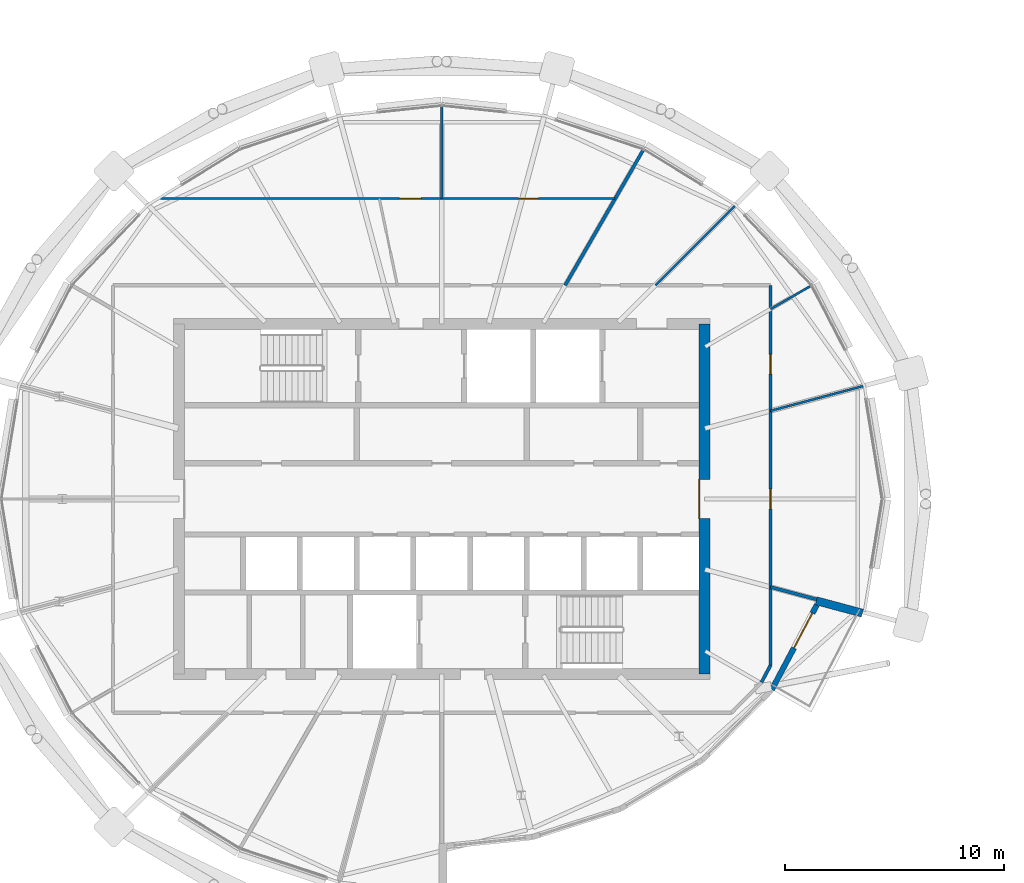
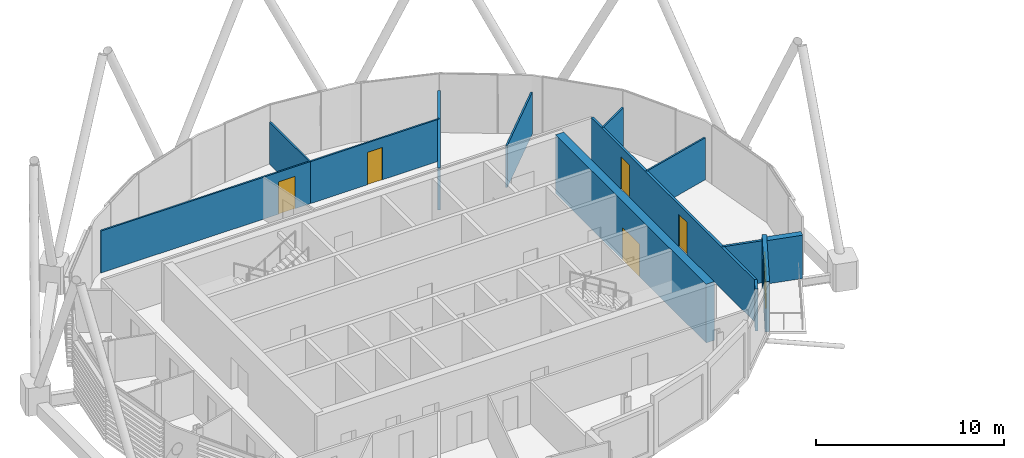
# One storey, part 20 of 31: 13 walls, 6 doors, 6 openings.
"""IFC4 building model written with IfcOpenShell, lengths in metres."""

from ifc_helpers import new_model, si_unit, direction, frame, frame_2d, origin, place, context, subcontext, project, spatial, rectangle, extrude, material, layer, layer_set, type_object, element, fill, save


model = new_model("IFC4")

# Units and contexts
model_context = context("Model", 3, precision=1e-05, world=origin(), true_north=direction((0.0, 1.0)))
body_context = subcontext(model_context, "Body", "Model", "MODEL_VIEW")
ifc_project = project(units=[si_unit("LENGTHUNIT", "METRE"), si_unit("AREAUNIT", "SQUARE_METRE"), si_unit("VOLUMEUNIT", "CUBIC_METRE"), si_unit("PLANEANGLEUNIT", "RADIAN"), si_unit("MASSUNIT", "GRAM", prefix="KILO")], contexts=[model_context])

# Site, building, storey
site_placement = place(None, origin())
site = spatial("IfcSite", under=ifc_project, at=site_placement, CompositionType="ELEMENT")
building_placement = place(site_placement, origin())
building = spatial("IfcBuilding", under=site, at=building_placement, Name="Rimbun Link Towers", CompositionType="ELEMENT")
storey_placement = place(building_placement, frame((0.0, 0.0, 244.699951171875)))
storey = spatial("IfcBuildingStorey", under=building, at=storey_placement, Name="L60", CompositionType="ELEMENT", Elevation=244.699951171875)

# Wall, opening, door
ifc_material_1 = material(Name="Dark enamelled glass spandrel on insulated aluminium backpan", Category="aluminium")
ifc_layer_1 = layer(ifc_material_1, 0.25)
ifc_layer_set_1 = layer_set([ifc_layer_1], Name="CS dark enamelled spandrel wall 250")
wall_type_1 = type_object("IfcWallType", Name="CS dark enamelled spandrel wall 250", PredefinedType="STANDARD", material=ifc_layer_set_1)
wall_1_placement = place(storey_placement, frame((-14.6123046875, -4.850830078125, 0.0), z_axis=(0.0, 0.0, 1.0), x_axis=(-0.46890821679, -0.883246898792, 0.0)))
wall_1 = element("IfcWall", 1, at=wall_1_placement, inside=storey, type_object=wall_type_1, Name="Crease spandrel wall", PredefinedType="STANDARD", context=body_context, shape_type="SweptSolid", body=[
    extrude(rectangle(XDim=4.384521484375, YDim=0.25, at=frame_2d((2.1923828125, 0.0))), origin(), (0.0, 0.0, 1.0), 3.24365234375),
])
opening_1_placement = place(wall_1_placement, frame((0.419189453125, 0.0, 0.0)))
opening_1 = element("IfcOpeningElement", 2, at=opening_1_placement, cuts=wall_1, Name="Opening ED85", PredefinedType="OPENING", context=body_context, shape_type="SweptSolid", body=[
    extrude(rectangle(XDim=1.800048828125, YDim=2.39990234375, at=frame_2d((0.89990234375, 1.199951171875))), frame((0.0, 0.135009765625, 0.0), z_axis=(0.0, -1.0, 0.0), x_axis=(1.0, 0.0, 0.0)), (0.0, 0.0, 1.0), 0.27001953125),
])
ifc_material_2 = material(Name="Aluminium framed glazed door, low-iron glass", Category="aluminium")
door_type_1 = type_object("IfcDoorType", Name="ED terrace door double leaf 1800X2400", OperationType="DOUBLE_DOOR_SINGLE_SWING", PredefinedType="DOOR", material=ifc_material_2)
door_1_placement = place(opening_1_placement, origin())
door_1 = element("IfcDoor", 3, at=door_1_placement, inside=storey, type_object=door_type_1, Name="Terrace door", OperationType="SINGLE_SWING_LEFT", OverallHeight=2.39990234375, OverallWidth=1.800048828125, PredefinedType="DOOR", context=body_context, shape_type="SweptSolid", body=[
    extrude(rectangle(XDim=1.800048828125, YDim=2.39990234375, at=frame_2d((0.89990234375, 1.199951171875))), frame((0.0, 0.02490234375, 0.0), z_axis=(0.0, -1.0, 0.0), x_axis=(1.0, 0.0, 0.0)), (0.0, 0.0, 1.0), 0.050048828125),
])
fill(opening_1, door_1)

# Wall
ifc_material_3 = material(Name="Dark enamelled glass spandrel on insulated aluminium backpan", Category="aluminium")
ifc_layer_2 = layer(ifc_material_3, 0.3701171875)
ifc_layer_set_2 = layer_set([ifc_layer_2], Name="CS dark enamelled spandrel wall 370")
wall_type_2 = type_object("IfcWallType", Name="CS dark enamelled spandrel wall 370", PredefinedType="STANDARD", material=ifc_layer_set_2)
wall_2_placement = place(storey_placement, frame((-12.527099609375, -5.218017578125, 0.0), z_axis=(0.0, 0.0, 1.0), x_axis=(-0.96592755611, 0.258812589237, 0.0)))
element("IfcWall", 4, at=wall_2_placement, inside=storey, type_object=wall_type_2, Name="Crease spandrel wall", PredefinedType="STANDARD", context=body_context, shape_type="SweptSolid", body=[
    extrude(rectangle(XDim=2.179931640625, YDim=0.3701171875, at=frame_2d((1.08984375, 0.0))), origin(), (0.0, 0.0, 1.0), 2.809326171875),
])

# Wall, opening, door
ifc_material_4 = material(Name="Concrete C60/75", Category="concrete")
ifc_layer_3 = layer(ifc_material_4, 0.5)
ifc_layer_set_3 = layer_set([ifc_layer_3], Name="Core shear wall 500")
wall_type_3 = type_object("IfcWallType", Name="Core shear wall 500", PredefinedType="SHEAR", material=ifc_layer_set_3)
wall_3_placement = place(storey_placement, frame((-19.75, -8.0, 0.0), z_axis=(0.0, 0.0, 1.0), x_axis=(0.0, 1.0, 0.0)))
wall_3 = element("IfcWall", 5, at=wall_3_placement, inside=storey, type_object=wall_type_3, Name="L60 T1 core wall E", PredefinedType="SHEAR", context=body_context, shape_type="SweptSolid", body=[
    extrude(rectangle(XDim=16.0, YDim=0.5, at=frame_2d((8.0, 0.0))), origin(), (0.0, 0.0, 1.0), 3.800048828125),
])
opening_2_placement = place(wall_3_placement, frame((7.10009765625, 0.0, 0.0)))
opening_2 = element("IfcOpeningElement", 6, at=opening_2_placement, cuts=wall_3, Name="Opening C1DCL01E", PredefinedType="OPENING", context=body_context, shape_type="SweptSolid", body=[
    extrude(rectangle(XDim=1.800048828125, YDim=2.10009765625, at=frame_2d((0.89990234375, 1.050048828125))), frame((0.0, 0.260009765625, 0.0), z_axis=(0.0, -1.0, 0.0), x_axis=(1.0, 0.0, 0.0)), (0.0, 0.0, 1.0), 0.52001953125),
])
ifc_material_5 = material(Name="Steel fire door set", Category="steel")
door_type_2 = type_object("IfcDoorType", Name="Core lobby door double", OperationType="DOUBLE_DOOR_SINGLE_SWING", PredefinedType="DOOR", material=ifc_material_5)
door_2_placement = place(opening_2_placement, origin())
door_2 = element("IfcDoor", 7, at=door_2_placement, inside=storey, type_object=door_type_2, Name="L60 T1 lift lobby door", OperationType="DOUBLE_DOOR_SINGLE_SWING", OverallHeight=2.10009765625, OverallWidth=1.800048828125, PredefinedType="DOOR", context=body_context, shape_type="SweptSolid", body=[
    extrude(rectangle(XDim=1.800048828125, YDim=2.10009765625, at=frame_2d((0.89990234375, 1.050048828125))), frame((0.0, 0.25, 0.0), z_axis=(0.0, -1.0, 0.0), x_axis=(1.0, 0.0, 0.0)), (0.0, 0.0, 1.0), 0.050048828125),
])
fill(opening_2, door_2)

# Wall, openings, doors
ifc_material_6 = material(Name="Plasterboard on steel stud, mineral wool", Category="steel")
ifc_layer_4 = layer(ifc_material_6, 0.14990234375)
ifc_layer_set_4 = layer_set([ifc_layer_4], Name="Corridor wall EI 30 150 mm")
wall_type_4 = type_object("IfcWallType", Name="Corridor wall EI 30 150 mm", PredefinedType="PARTITIONING", material=ifc_layer_set_4)
wall_4_placement = place(storey_placement, frame((-16.72509765625, 9.764892578125, 0.0), z_axis=(0.0, 0.0, 1.0), x_axis=(0.0, -1.0, 0.0)))
wall_4 = element("IfcWall", 8, at=wall_4_placement, inside=storey, type_object=wall_type_4, Name="Corridor wall EI 30 150 mm", PredefinedType="PARTITIONING", context=body_context, shape_type="SweptSolid", body=[
    extrude(rectangle(XDim=17.368896484375, YDim=0.14990234375, at=frame_2d((8.6845703125, 0.0))), origin(), (0.0, 0.0, 1.0), 2.72216796875),
])
opening_3_placement = place(wall_4_placement, frame((9.31494140625, 0.0, 0.0)))
opening_3 = element("IfcOpeningElement", 9, at=opening_3_placement, cuts=wall_4, Name="Opening D02", PredefinedType="OPENING", context=body_context, shape_type="SweptSolid", body=[
    extrude(rectangle(XDim=0.89990234375, YDim=2.10009765625, at=frame_2d((0.449951171875, 1.050048828125))), frame((0.0, 0.0849609375, 0.0), z_axis=(0.0, -1.0, 0.0), x_axis=(1.0, 0.0, 0.0)), (0.0, 0.0, 1.0), 0.169921875),
])
opening_4_placement = place(wall_4_placement, frame((3.162109375, 0.0, 0.0)))
opening_4 = element("IfcOpeningElement", 10, at=opening_4_placement, cuts=wall_4, Name="Opening D02", PredefinedType="OPENING", context=body_context, shape_type="SweptSolid", body=[
    extrude(rectangle(XDim=0.89990234375, YDim=2.10009765625, at=frame_2d((0.449951171875, 1.050048828125))), frame((0.0, 0.0849609375, 0.0), z_axis=(0.0, -1.0, 0.0), x_axis=(1.0, 0.0, 0.0)), (0.0, 0.0, 1.0), 0.169921875),
])
ifc_material_7 = material(Name="Fire-resisting timber door leaf", Category="wood")
door_type_3 = type_object("IfcDoorType", Name="Fire door FD30S 900", OperationType="NOTDEFINED", PredefinedType="DOOR", material=ifc_material_7)
door_3_placement = place(opening_3_placement, origin())
door_3 = element("IfcDoor", 11, at=door_3_placement, inside=storey, type_object=door_type_3, Name="Fire door FD30S 900 to Boardroom", OperationType="SINGLE_SWING_LEFT", OverallHeight=2.10009765625, OverallWidth=0.89990234375, PredefinedType="DOOR", context=body_context, shape_type="SweptSolid", body=[
    extrude(rectangle(XDim=0.89990234375, YDim=2.10009765625, at=frame_2d((0.449951171875, 1.050048828125))), frame((0.0, 0.02490234375, 0.0), z_axis=(0.0, -1.0, 0.0), x_axis=(1.0, 0.0, 0.0)), (0.0, 0.0, 1.0), 0.050048828125),
])
fill(opening_3, door_3)
door_4_placement = place(opening_4_placement, origin())
door_4 = element("IfcDoor", 12, at=door_4_placement, inside=storey, type_object=door_type_3, Name="Fire door FD30S 900 to Meeting room", OperationType="SINGLE_SWING_RIGHT", OverallHeight=2.10009765625, OverallWidth=0.89990234375, PredefinedType="DOOR", context=body_context, shape_type="SweptSolid", body=[
    extrude(rectangle(XDim=0.89990234375, YDim=2.10009765625, at=frame_2d((0.449951171875, 1.050048828125))), frame((0.0, 0.02490234375, 0.0), z_axis=(0.0, -1.0, 0.0), x_axis=(1.0, 0.0, 0.0)), (0.0, 0.0, 1.0), 0.050048828125),
])
fill(opening_4, door_4)

# Walls
wall_5_placement = place(storey_placement, frame((-17.13671875, -8.37939453125, 0.0), z_axis=(0.0, 0.0, 1.0), x_axis=(0.468884089089, 0.88325970756, 0.0)))
element("IfcWall", 13, at=wall_5_placement, inside=storey, type_object=wall_type_4, Name="Corridor wall EI 30 150 mm", PredefinedType="PARTITIONING", context=body_context, shape_type="SweptSolid", body=[
    extrude(rectangle(XDim=0.8779296875, YDim=0.14990234375, at=frame_2d((0.43896484375, 0.0))), origin(), (0.0, 0.0, 1.0), 2.72216796875),
])
ifc_material_8 = material(Name="Plasterboard on steel stud", Category="steel")
ifc_layer_5 = layer(ifc_material_8, 0.10009765625)
ifc_layer_set_5 = layer_set([ifc_layer_5], Name="Plasterboard partition 100 mm")
wall_type_5 = type_object("IfcWallType", Name="Plasterboard partition 100 mm", PredefinedType="PARTITIONING", material=ifc_layer_set_5)
wall_6_placement = place(storey_placement, frame((-12.490966796875, 5.160400390625, 0.0), z_axis=(0.0, 0.0, 1.0), x_axis=(-0.965926422845, -0.258816818714, 0.0)))
element("IfcWall", 14, at=wall_6_placement, inside=storey, type_object=wall_type_5, Name="Plasterboard partition 100 mm", PredefinedType="PARTITIONING", context=body_context, shape_type="SweptSolid", body=[
    extrude(rectangle(XDim=4.383544921875, YDim=0.10009765625, at=frame_2d((2.19189453125, 0.0))), origin(), (0.0, 0.0, 1.0), 2.72216796875),
])
wall_7_placement = place(storey_placement, frame((-14.864990234375, 9.74853515625, 0.0), z_axis=(0.0, 0.0, 1.0), x_axis=(-0.866066338354, -0.499929092542, 0.0)))
element("IfcWall", 15, at=wall_7_placement, inside=storey, type_object=wall_type_5, Name="Plasterboard partition 100 mm", PredefinedType="PARTITIONING", context=body_context, shape_type="SweptSolid", body=[
    extrude(rectangle(XDim=2.147705078125, YDim=0.10009765625, at=frame_2d((1.07373046875, 0.0))), origin(), (0.0, 0.0, 1.0), 2.72216796875),
])
wall_8_placement = place(storey_placement, frame((-18.35791015625, 13.39208984375, 0.0), z_axis=(0.0, 0.0, 1.0), x_axis=(-0.707106781187, -0.707106781187, 0.0)))
element("IfcWall", 16, at=wall_8_placement, inside=storey, type_object=wall_type_5, Name="Plasterboard partition 100 mm", PredefinedType="PARTITIONING", context=body_context, shape_type="SweptSolid", body=[
    extrude(rectangle(XDim=5.129638671875, YDim=0.10009765625, at=frame_2d((2.56494140625, 0.0))), origin(), (0.0, 0.0, 1.0), 2.72216796875),
])

# Wall, opening, door
wall_9_placement = place(storey_placement, frame((-31.75, 13.72509765625, 0.0), z_axis=(0.0, 0.0, 1.0), x_axis=(1.0, 0.0, 0.0)))
wall_9 = element("IfcWall", 17, at=wall_9_placement, inside=storey, type_object=wall_type_5, Name="Plasterboard partition 100 mm", PredefinedType="PARTITIONING", context=body_context, shape_type="SweptSolid", body=[
    extrude(rectangle(XDim=7.92431640625, YDim=0.10009765625, at=frame_2d((3.962158203125, 0.0))), origin(), (0.0, 0.0, 1.0), 2.72216796875),
])
opening_5_placement = place(wall_9_placement, frame((3.51220703125, 0.0, 0.0)))
opening_5 = element("IfcOpeningElement", 18, at=opening_5_placement, cuts=wall_9, Name="Opening D04", PredefinedType="OPENING", context=body_context, shape_type="SweptSolid", body=[
    extrude(rectangle(XDim=0.89990234375, YDim=2.10009765625, at=frame_2d((0.449951171875, 1.050048828125))), frame((0.0, 0.06005859375, 0.0), z_axis=(0.0, -1.0, 0.0), x_axis=(1.0, 0.0, 0.0)), (0.0, 0.0, 1.0), 0.1201171875),
])
ifc_material_9 = material(Name="Timber door leaf", Category="wood")
door_type_4 = type_object("IfcDoorType", Name="Flush door 900", OperationType="NOTDEFINED", PredefinedType="DOOR", material=ifc_material_9)
door_5_placement = place(opening_5_placement, origin())
door_5 = element("IfcDoor", 19, at=door_5_placement, inside=storey, type_object=door_type_4, Name="Flush door 900 to Executive office", OperationType="SINGLE_SWING_RIGHT", OverallHeight=2.10009765625, OverallWidth=0.89990234375, PredefinedType="DOOR", context=body_context, shape_type="SweptSolid", body=[
    extrude(rectangle(XDim=0.89990234375, YDim=2.10009765625, at=frame_2d((0.449951171875, 1.050048828125))), frame((0.0, 0.02490234375, 0.0), z_axis=(0.0, -1.0, 0.0), x_axis=(1.0, 0.0, 0.0)), (0.0, 0.0, 1.0), 0.050048828125),
])
fill(opening_5, door_5)

wall_10_placement = place(storey_placement, frame((-44.599853515625, 13.72509765625, 0.0), z_axis=(0.0, 0.0, 1.0), x_axis=(1.0, 0.0, 0.0)))
wall_10 = element("IfcWall", 20, at=wall_10_placement, inside=storey, type_object=wall_type_5, Name="Plasterboard partition 100 mm", PredefinedType="PARTITIONING", context=body_context, shape_type="SweptSolid", body=[
    extrude(rectangle(XDim=12.849853515625, YDim=0.10009765625, at=frame_2d((6.4248046875, 0.0))), origin(), (0.0, 0.0, 1.0), 2.72216796875),
])
opening_6_placement = place(wall_10_placement, frame((10.9091796875, 0.0, 0.0)))
opening_6 = element("IfcOpeningElement", 21, at=opening_6_placement, cuts=wall_10, Name="Opening D03", PredefinedType="OPENING", context=body_context, shape_type="SweptSolid", body=[
    extrude(rectangle(XDim=1.0, YDim=2.10009765625, at=frame_2d((0.5, 1.050048828125))), frame((0.0, 0.06005859375, 0.0), z_axis=(0.0, -1.0, 0.0), x_axis=(1.0, 0.0, 0.0)), (0.0, 0.0, 1.0), 0.1201171875),
])
ifc_material_10 = material(Name="Timber door leaf", Category="wood")
door_type_5 = type_object("IfcDoorType", Name="Flush door 1000", OperationType="NOTDEFINED", PredefinedType="DOOR", material=ifc_material_10)
door_6_placement = place(opening_6_placement, origin())
door_6 = element("IfcDoor", 22, at=door_6_placement, inside=storey, type_object=door_type_5, Name="Flush door 1000 to Open office", OperationType="SINGLE_SWING_LEFT", OverallHeight=2.10009765625, OverallWidth=1.0, PredefinedType="DOOR", context=body_context, shape_type="SweptSolid", body=[
    extrude(rectangle(XDim=1.0, YDim=2.10009765625, at=frame_2d((0.5, 1.050048828125))), frame((0.0, 0.02490234375, 0.0), z_axis=(0.0, -1.0, 0.0), x_axis=(1.0, 0.0, 0.0)), (0.0, 0.0, 1.0), 0.050048828125),
])
fill(opening_6, door_6)

# Walls
wall_11_placement = place(storey_placement, frame((-31.75, 17.953369140625, 0.0), z_axis=(0.0, 0.0, 1.0), x_axis=(0.0, -1.0, 0.0)))
element("IfcWall", 23, at=wall_11_placement, inside=storey, type_object=wall_type_5, Name="Plasterboard partition 100 mm", PredefinedType="PARTITIONING", context=body_context, shape_type="SweptSolid", body=[
    extrude(rectangle(XDim=4.228271484375, YDim=0.10009765625, at=frame_2d((2.1142578125, 0.0))), origin(), (0.0, 0.0, 1.0), 2.72216796875),
])
ifc_material_11 = material(Name="Plasterboard on steel stud, mineral wool", Category="steel")
ifc_layer_6 = layer(ifc_material_11, 0.14990234375)
ifc_layer_set_6 = layer_set([ifc_layer_6], Name="Tenancy separation wall EI 60 150 mm")
wall_type_6 = type_object("IfcWallType", Name="Tenancy separation wall EI 60 150 mm", PredefinedType="PARTITIONING", material=ifc_layer_set_6)
wall_12_placement = place(storey_placement, frame((-26.112060546875, 9.764892578125, 0.0), z_axis=(0.0, 0.0, 1.0), x_axis=(0.499998286239, 0.866026393222, 0.0)))
element("IfcWall", 24, at=wall_12_placement, inside=storey, type_object=wall_type_6, Name="Tenancy separation wall EI 60 150 mm", PredefinedType="PARTITIONING", context=body_context, shape_type="SweptSolid", body=[
    extrude(rectangle(XDim=7.15087890625, YDim=0.14990234375, at=frame_2d((3.575439453125, 0.0))), origin(), (0.0, 0.0, 1.0), 2.72216796875),
])
wall_13_placement = place(storey_placement, frame((-16.72509765625, -4.02587890625, 0.0), z_axis=(0.0, 0.0, 1.0), x_axis=(0.965920601059, -0.258838545139, 0.0)))
element("IfcWall", 25, at=wall_13_placement, inside=storey, type_object=wall_type_6, Name="Tenancy separation wall EI 60 150 mm", PredefinedType="PARTITIONING", context=body_context, shape_type="SweptSolid", body=[
    extrude(rectangle(XDim=2.18359375, YDim=0.14990234375, at=frame_2d((1.091796875, 0.0))), origin(), (0.0, 0.0, 1.0), 2.72216796875),
])

save(model, "model.ifc")
